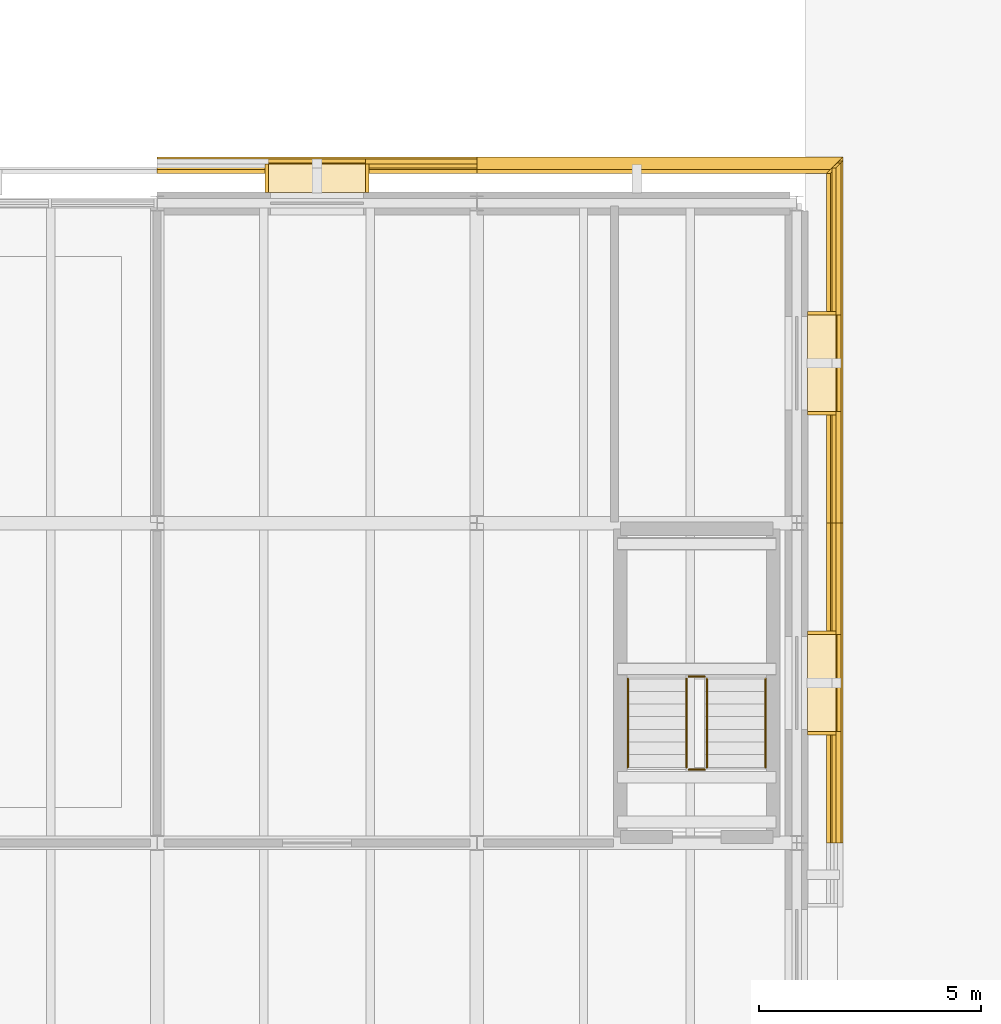
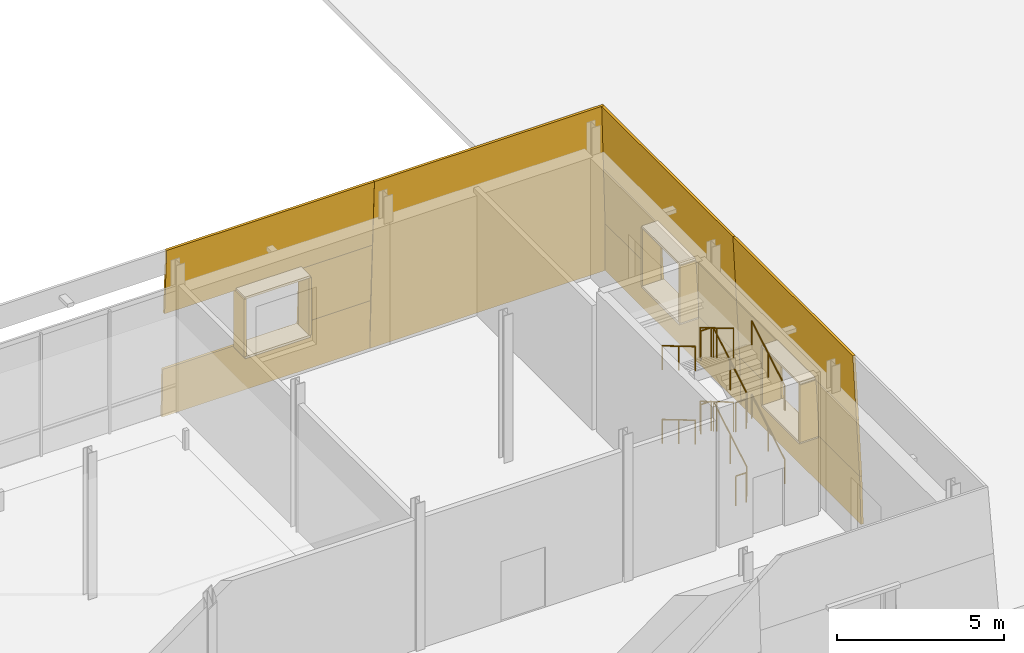
# One storey, part 100 of 120: 24 coverings, 12 railings.
"""IFC4 building model written with IfcOpenShell, lengths in metres."""

import ifcopenshell
import ifcopenshell.guid

model = None  # the IFC model being written
_history = None  # IfcOwnerHistory: only IFC2X3 demands one
_inside = {}  # id of a spatial element -> (the spatial element, [elements in it])
_under = {}  # id of a project, library or spatial element -> (it, [spatial elements below it])
_declared = {}  # id of a project -> (the project, [libraries it declares])
_typed = {}  # id of a type object -> (the type object, [elements of that type])
_made_of = {}  # id of a material, layer set ... -> (it, [elements and type objects made of it])


def new_model(schema):
    """Start an empty IFC model of exactly this schema.

    Asked for "IFC4X3", IfcOpenShell would pick the latest addendum, in which some entities
    have other attributes; the version numbers below select the first issue.
    IFC2X3 requires an IfcOwnerHistory on every rooted entity: one is made here for all.
    """
    global model, _history
    if schema == "IFC4X3":
        model = ifcopenshell.file(schema_version=(4, 3, 0, 0))
    else:
        model = ifcopenshell.file(schema=schema)
    _inside.clear()
    _under.clear()
    _declared.clear()
    _typed.clear()
    _made_of.clear()
    _history = None
    if model.schema == "IFC2X3":
        org = make("IfcOrganization", Name="unknown")
        user = make(
            "IfcPersonAndOrganization",
            ThePerson=make("IfcPerson", FamilyName="unknown"),
            TheOrganization=org,
        )
        app = make(
            "IfcApplication",
            ApplicationDeveloper=org,
            Version="unknown",
            ApplicationFullName="unknown",
            ApplicationIdentifier="unknown",
        )
        _history = make(
            "IfcOwnerHistory",
            OwningUser=user,
            OwningApplication=app,
            ChangeAction="ADDED",
            CreationDate=0,
        )
    return model


def make(cls, **values):
    """One entity of the class cls with the attributes given. An attribute that is None is left unset."""
    return model.create_entity(
        cls, **{name: value for name, value in values.items() if value is not None}
    )


def rooted(cls, **values):
    """An entity with a GlobalId (a new one), such as an element, a storey or a relation."""
    return make(cls, GlobalId=ifcopenshell.guid.new(), OwnerHistory=_history, **values)


def si_unit(unit_type, name, prefix=None):
    """IfcSIUnit, for example si_unit("LENGTHUNIT", "METRE", prefix="MILLI")."""
    return make("IfcSIUnit", UnitType=unit_type, Prefix=prefix, Name=name)


def assignment(units):
    """IfcUnitAssignment: the units of a project."""
    return None if units is None else make("IfcUnitAssignment", Units=units)


def point(xyz):
    """IfcCartesianPoint."""
    return None if xyz is None else make("IfcCartesianPoint", Coordinates=xyz)


def direction(xyz):
    """IfcDirection."""
    return None if xyz is None else make("IfcDirection", DirectionRatios=xyz)


def frame(location, z_axis=None, x_axis=None):
    """IfcAxis2Placement3D, a coordinate frame: its origin and axes. An axis left out is left unset."""
    return make(
        "IfcAxis2Placement3D",
        Location=point(location),
        Axis=direction(z_axis),
        RefDirection=direction(x_axis),
    )


def frame_2d(location, x_axis=None):
    """IfcAxis2Placement2D, a coordinate frame in the plane: its origin and x axis."""
    return make(
        "IfcAxis2Placement2D", Location=point(location), RefDirection=direction(x_axis)
    )


def origin():
    """The frame at (0, 0, 0) with its axes left unset."""
    return frame((0.0, 0.0, 0.0))


def origin_2d():
    """The frame at (0, 0) in the plane with its x axis left unset."""
    return frame_2d((0.0, 0.0))


def place(relative_to, where):
    """IfcLocalPlacement: puts the frame where relative to a parent placement (None: the world)."""
    return make(
        "IfcLocalPlacement", PlacementRelTo=relative_to, RelativePlacement=where
    )


def context(
    kind, dimensions, precision=None, world=None, true_north=None, identifier=None
):
    """IfcGeometricRepresentationContext, for example the 3D "Model" context."""
    return make(
        "IfcGeometricRepresentationContext",
        ContextIdentifier=identifier,
        ContextType=kind,
        CoordinateSpaceDimension=dimensions,
        Precision=precision,
        WorldCoordinateSystem=world,
        TrueNorth=true_north,
    )


def subcontext(parent, identifier, kind, view, scale=None):
    """IfcGeometricRepresentationSubContext, for example "Body" below "Model"."""
    return make(
        "IfcGeometricRepresentationSubContext",
        ContextIdentifier=identifier,
        ContextType=kind,
        ParentContext=parent,
        TargetScale=scale,
        TargetView=view,
    )


def project(units=None, contexts=None):
    """IfcProject with its units and contexts."""
    return rooted(
        "IfcProject",
        Name="project",
        RepresentationContexts=contexts,
        UnitsInContext=assignment(units),
    )


def spatial(cls, under=None, at=None, **own):
    """A site, building, storey or space (cls), placed at a placement, below another one or the project."""
    s = rooted(cls, ObjectPlacement=at, **own)
    if under is not None:
        _under.setdefault(under.id(), (under, []))[1].append(s)
    return s


def polyline(points):
    """IfcPolyline through the points."""
    return make("IfcPolyline", Points=[point(p) for p in points])


def profile(cls, at=None, kind="AREA", **sizes):
    """A parametric profile (cls). Its sizes go by their IFC names, for example OverallWidth=200.0."""
    return make(cls, ProfileType=kind, Position=at, **sizes)


def circle(**sizes):
    """IfcCircleProfileDef."""
    return profile("IfcCircleProfileDef", **sizes)


def outline(outer, holes=None, kind="AREA"):
    """IfcArbitraryClosedProfileDef: a profile drawn as a closed curve; with holes, ...WithVoids."""
    if holes is None:
        return make("IfcArbitraryClosedProfileDef", ProfileType=kind, OuterCurve=outer)
    return make(
        "IfcArbitraryProfileDefWithVoids",
        ProfileType=kind,
        OuterCurve=outer,
        InnerCurves=holes,
    )


def extrude(swept, where, along, depth):
    """IfcExtrudedAreaSolid: the profile swept, set in the frame where, extruded along a direction by depth."""
    return make(
        "IfcExtrudedAreaSolid",
        SweptArea=swept,
        Position=where,
        ExtrudedDirection=direction(along),
        Depth=depth,
    )


def shape(context_of_items, identifier, shape_type, items):
    """IfcShapeRepresentation: the items that make up one representation, for example the "Body"."""
    return make(
        "IfcShapeRepresentation",
        ContextOfItems=context_of_items,
        RepresentationIdentifier=identifier,
        RepresentationType=shape_type,
        Items=items,
    )


def material(Name=None, Category=None):
    """IfcMaterial."""
    return make("IfcMaterial", Name=Name, Category=Category)


def layer(
    of_material, thickness, ventilated=None, Name=None, Category=None, Priority=None
):
    """IfcMaterialLayer: one layer of a wall or slab, of a material (None: an air gap)."""
    return make(
        "IfcMaterialLayer",
        Material=of_material,
        LayerThickness=thickness,
        IsVentilated=ventilated,
        Name=Name,
        Category=Category,
        Priority=Priority,
    )


def layer_set(layers, Name=None):
    """IfcMaterialLayerSet."""
    return make("IfcMaterialLayerSet", MaterialLayers=layers, LayerSetName=Name)


def made_of(thing, what):
    """Note that an element or type object is made of a material, layer set ...; save() writes the relation."""
    if what is not None:
        _made_of.setdefault(what.id(), (what, []))[1].append(thing)
    return thing


def type_object(cls, material=None, **own):
    """A type object (cls), such as IfcWallType, which elements share."""
    return made_of(rooted(cls, **own), material)


def element(
    cls,
    number,
    at=None,
    inside=None,
    cuts=None,
    type_object=None,
    material=None,
    context=None,
    identifier="Body",
    shape_type=None,
    held_by="IfcProductDefinitionShape",
    body=None,
    shapes=None,
    **own,
):
    """One element of the class cls, such as IfcWall. Its Tag is "e" and its number.

    at: its placement. inside: the storey or other place that contains it. cuts: it is an
    opening in that element (IfcRelVoidsElement). A single representation is given by context,
    identifier, shape_type and body (its items); several are given by shapes. held_by: the class
    of the entity that holds the representations. save() writes the other relations.
    """
    e = rooted(cls, Tag="e%d" % number, ObjectPlacement=at, **own)
    if body is not None:
        shapes = [shape(context, identifier, shape_type, body)]
    if shapes is not None:
        e.Representation = make(held_by, Representations=shapes)
    if inside is not None:
        _inside.setdefault(inside.id(), (inside, []))[1].append(e)
    if cuts is not None:
        rooted(
            "IfcRelVoidsElement", RelatingBuildingElement=cuts, RelatedOpeningElement=e
        )
    if type_object is not None:
        _typed.setdefault(type_object.id(), (type_object, []))[1].append(e)
    return made_of(e, material)


def aggregate(whole, parts):
    """IfcRelAggregates: a whole, such as a stair, and the parts it consists of."""
    return rooted("IfcRelAggregates", RelatingObject=whole, RelatedObjects=parts)


def save(model, path):
    """Write the relations noted so far, then the file.

    IfcRelAggregates (storeys below a building ...), IfcRelContainedInSpatialStructure (elements
    in a storey), IfcRelDefinesByType, IfcRelAssociatesMaterial and IfcRelDeclares: one each for
    every whole, place, type object, material and project.
    """
    for whole, parts in _under.values():
        aggregate(whole, parts)
    for where, things in _inside.values():
        rooted(
            "IfcRelContainedInSpatialStructure",
            RelatedElements=things,
            RelatingStructure=where,
        )
    for kind, things in _typed.values():
        rooted("IfcRelDefinesByType", RelatedObjects=things, RelatingType=kind)
    for what, things in _made_of.values():
        rooted("IfcRelAssociatesMaterial", RelatedObjects=things, RelatingMaterial=what)
    for by, libraries in _declared.values():
        rooted("IfcRelDeclares", RelatingContext=by, RelatedDefinitions=libraries)
    model.write(path)


model = new_model("IFC4")

# Units and contexts
model_context = context("Model", 3, precision=1e-05, world=origin(), true_north=direction((0.0, 1.0)))
body_context = subcontext(model_context, "Body", "Model", "MODEL_VIEW")
ifc_project = project(units=[si_unit("LENGTHUNIT", "METRE"), si_unit("AREAUNIT", "SQUARE_METRE"), si_unit("VOLUMEUNIT", "CUBIC_METRE"), si_unit("PLANEANGLEUNIT", "RADIAN"), si_unit("MASSUNIT", "GRAM", prefix="KILO")], contexts=[model_context])

# Site, building, storey
site_placement = place(None, origin())
site = spatial("IfcSite", under=ifc_project, at=site_placement, CompositionType="ELEMENT")
building_placement = place(site_placement, origin())
building = spatial("IfcBuilding", under=site, at=building_placement, Name="Narikvali Park Central Library", CompositionType="ELEMENT")
storey_placement = place(building_placement, origin())
storey = spatial("IfcBuildingStorey", under=building, at=storey_placement, Name="L00", CompositionType="ELEMENT", Elevation=0.0)

# Coverings
ifc_material_1 = material(Name="White Honed Limestone Cladding", Category="masonry")
ifc_layer_1 = layer(ifc_material_1, 0.0849609375, Name="White Honed Limestone Cladding")
ifc_layer_set_1 = layer_set([ifc_layer_1], Name="White Honed Limestone Cladding")
covering_type_1 = type_object("IfcCoveringType", Name="Battered White Limestone Facade Cladding Panel", PredefinedType="CLADDING", material=ifc_layer_set_1)
covering_1_placement = place(storey_placement, frame((44.239990234375, 7.199951171875, -0.8798828125), z_axis=(0.999653349735, 0.0, 0.026328318676), x_axis=(0.0, 1.0, 0.0)))
element("IfcCovering", 1, at=covering_1_placement, inside=storey, type_object=covering_type_1, Name="V2 L00 E Battered Limestone Spandrel B02", PredefinedType="CLADDING", context=body_context, shape_type="SweptSolid", body=[
    extrude(outline(polyline([(0.0, 0.0), (7.199951171875, 0.0), (7.199951171875, 1.7804023331912473), (0.0, 1.7804023331912473), (0.0, 0.0)])), origin(), (0.0, 0.0, -1.0), 0.0849609375),
])
covering_2_placement = place(storey_placement, frame((44.08349609375, 7.199951171875, 3.0), z_axis=(0.998646306508, 0.0, 0.052014944957), x_axis=(0.0, 1.0, 0.0)))
element("IfcCovering", 2, at=covering_2_placement, inside=storey, type_object=covering_type_1, Name="V2 L00 E Battered Limestone Lintel B02", PredefinedType="CLADDING", context=body_context, shape_type="SweptSolid", body=[
    extrude(outline(polyline([(0.0, 0.0), (7.199951171875, 0.0), (7.199951171875, 2.4031554796843135), (0.0, 2.4031554796843135), (0.0, 0.0)])), origin(), (0.0, 0.0, -1.0), 0.0849609375),
])
for number, where, z_axis, x_axis, name in (
    (3, (44.193115234375, 7.199951171875, 0.89990234375), (0.998640505436, 0.0, 0.05212620169), (0.0, 1.0, 0.0), "V2 L00 E Battered Limestone Jamb Pier L B02"),
    (4, (44.193115234375, 11.889892578125, 0.89990234375), (0.998640505436, 0.0, 0.05212620169), (0.0, 1.0, 0.0), "V2 L00 E Battered Limestone Jamb Pier R B02"),
):
    element("IfcCovering", number, at=place(storey_placement, frame(where, z_axis=z_axis, x_axis=x_axis)), inside=storey, type_object=covering_type_1, Name=name, PredefinedType="CLADDING", context=body_context, shape_type="SweptSolid", body=[
        extrude(outline(polyline([(0.0, 0.0), (2.510009765625, 0.0), (2.510009765625, 2.102956614335661), (0.0, 2.102956614335661), (0.0, 0.0)])), origin(), (0.0, 0.0, -1.0), 0.0849609375),
    ])
covering_3_placement = place(storey_placement, frame((44.239990234375, 14.39990234375, -0.8798828125), z_axis=(0.999653349735, 0.0, 0.026328318676), x_axis=(0.0, 1.0, 0.0)))
element("IfcCovering", 5, at=covering_3_placement, inside=storey, type_object=covering_type_1, Name="V2 L00 E Battered Limestone Spandrel B03", PredefinedType="CLADDING", context=body_context, shape_type="SweptSolid", body=[
    extrude(outline(polyline([(0.0, 0.0), (8.155029296875, 0.0), (8.108154296875, 1.7804023331912473), (0.0, 1.7804023331912473), (0.0, 0.0)])), origin(), (0.0, 0.0, -1.0), 0.0849609375),
])
covering_4_placement = place(storey_placement, frame((44.08349609375, 14.39990234375, 3.0), z_axis=(0.998646306508, 0.0, 0.052014944957), x_axis=(0.0, 1.0, 0.0)))
element("IfcCovering", 6, at=covering_4_placement, inside=storey, type_object=covering_type_1, Name="V2 L00 E Battered Limestone Lintel B03", PredefinedType="CLADDING", context=body_context, shape_type="SweptSolid", body=[
    extrude(outline(polyline([(0.0, 0.0), (7.998779296875, 0.0), (7.873779296875, 2.403155479684313), (0.0, 2.403155479684313), (0.0, 0.0)])), origin(), (0.0, 0.0, -1.0), 0.0849609375),
])
covering_5_placement = place(storey_placement, frame((44.193115234375, 14.39990234375, 0.89990234375), z_axis=(0.998640505436, 0.0, 0.05212620169), x_axis=(0.0, 1.0, 0.0)))
element("IfcCovering", 7, at=covering_5_placement, inside=storey, type_object=covering_type_1, Name="V2 L00 E Battered Limestone Jamb Pier L B03", PredefinedType="CLADDING", context=body_context, shape_type="SweptSolid", body=[
    extrude(outline(polyline([(0.0, 0.0), (2.510009765625, 0.0), (2.510009765625, 2.102956614335661), (0.0, 2.102956614335661), (0.0, 0.0)])), origin(), (0.0, 0.0, -1.0), 0.0849609375),
])
covering_6_placement = place(storey_placement, frame((44.193115234375, 19.090087890625, 0.89990234375), z_axis=(0.998640505436, 0.0, 0.05212620169), x_axis=(0.0, 1.0, 0.0)))
element("IfcCovering", 8, at=covering_6_placement, inside=storey, type_object=covering_type_1, Name="V2 L00 E Battered Limestone Jamb Pier R B03", PredefinedType="CLADDING", context=body_context, shape_type="SweptSolid", body=[
    extrude(outline(polyline([(0.0, 0.0), (3.41796875, 0.0), (3.30859375, 2.102956614335661), (0.0, 2.102956614335661), (0.0, 0.0)])), origin(), (0.0, 0.0, -1.0), 0.0849609375),
])
covering_7_placement = place(storey_placement, frame((44.239990234375, 22.639892578125, -0.8798828125), z_axis=(0.0, 0.998998588091, 0.044741714232), x_axis=(-1.0, 0.0, 0.0)))
element("IfcCovering", 9, at=covering_7_placement, inside=storey, type_object=covering_type_1, Name="V2 L00 N Battered Limestone Panel B01", PredefinedType="CLADDING", context=body_context, shape_type="SweptSolid", body=[
    extrude(outline(polyline([(0.0, 0.0), (8.239990234375, 0.0), (8.239990234375, 6.286080111735599), (0.281494140625, 6.286080111735599), (0.0, 0.0)])), origin(), (0.0, 0.0, -1.0), 0.0849609375),
])
covering_8_placement = place(storey_placement, frame((36.0, 22.639892578125, -0.8798828125), z_axis=(0.0, 0.999653349735, 0.026328318676), x_axis=(-1.0, 0.0, 0.0)))
element("IfcCovering", 10, at=covering_8_placement, inside=storey, type_object=covering_type_1, Name="V2 L00 N Battered Limestone Spandrel B02", PredefinedType="CLADDING", context=body_context, shape_type="SweptSolid", body=[
    extrude(outline(polyline([(0.0, 0.0), (7.199951171875, 0.0), (7.199951171875, 1.7804023331912473), (0.0, 1.7804023331912473), (0.0, 0.0)])), origin(), (0.0, 0.0, -1.0), 0.0849609375),
])
covering_9_placement = place(storey_placement, frame((36.0, 22.483642578125, 3.0), z_axis=(0.0, 0.998646306508, 0.052014944957), x_axis=(-1.0, 0.0, 0.0)))
element("IfcCovering", 11, at=covering_9_placement, inside=storey, type_object=covering_type_1, Name="V2 L00 N Battered Limestone Lintel B02", PredefinedType="CLADDING", context=body_context, shape_type="SweptSolid", body=[
    extrude(outline(polyline([(0.0, 0.0), (7.199951171875, 0.0), (7.199951171875, 2.4031554796843135), (0.0, 2.4031554796843135), (0.0, 0.0)])), origin(), (0.0, 0.0, -1.0), 0.0849609375),
])
covering_10_placement = place(storey_placement, frame((36.0, 22.593017578125, 0.89990234375), z_axis=(0.0, 0.998646542073, 0.052010422094), x_axis=(-1.0, 0.0, 0.0)))
element("IfcCovering", 12, at=covering_10_placement, inside=storey, type_object=covering_type_1, Name="V2 L00 N Battered Limestone Jamb Pier L B02", PredefinedType="CLADDING", context=body_context, shape_type="SweptSolid", body=[
    extrude(outline(polyline([(0.0, 0.0), (2.510009765625, 0.0), (2.510009765625, 2.1029439023454106), (0.0, 2.1029439023454106), (0.0, 0.0)])), origin(), (0.0, 0.0, -1.0), 0.0849609375),
])
ifc_layer_2 = layer(ifc_material_1, 0.080078125, Name="White Honed Limestone Cladding")
ifc_layer_set_2 = layer_set([ifc_layer_2], Name="White Honed Limestone Cladding")
covering_type_2 = type_object("IfcCoveringType", Name="Deep Carved White Limestone Window Reveal", PredefinedType="CLADDING", material=ifc_layer_set_2)
covering_11_placement = place(storey_placement, frame((0.0, 0.0, 3.0)))
element("IfcCovering", 13, at=covering_11_placement, inside=storey, type_object=covering_type_2, Name="Deep Stone Reveal Head V2-RVL-L00-E-B02", PredefinedType="CLADDING", context=body_context, shape_type="SweptSolid", body=[
    extrude(outline(polyline([(43.445068359375, 9.669921875), (43.445068359375, 11.929931640625), (44.08349609375, 11.929931640625), (44.08349609375, 9.669921875), (43.445068359375, 9.669921875)])), origin(), (0.0, 0.0, 1.0), 0.080078125),
])
covering_12_placement = place(storey_placement, frame((0.0, 0.0, 0.820068359375)))
element("IfcCovering", 14, at=covering_12_placement, inside=storey, type_object=covering_type_2, Name="Deep Stone Reveal Sill V2-RVL-L00-E-B02", PredefinedType="CLADDING", context=body_context, shape_type="SweptSolid", body=[
    extrude(outline(polyline([(43.445068359375, 9.669921875), (43.445068359375, 11.929931640625), (44.193115234375, 11.929931640625), (44.193115234375, 9.669921875), (43.445068359375, 9.669921875)])), origin(), (0.0, 0.0, 1.0), 0.079833984375),
])
covering_13_placement = place(storey_placement, frame((0.0, 0.0, 0.89990234375)))
element("IfcCovering", 15, at=covering_13_placement, inside=storey, type_object=covering_type_2, Name="Deep Stone Reveal Jamb L V2-RVL-L00-E-B02", PredefinedType="CLADDING", context=body_context, shape_type="SweptSolid", body=[
    extrude(outline(polyline([(43.445068359375, 9.6298828125), (43.445068359375, 9.7099609375), (44.08349609375, 9.7099609375), (44.08349609375, 9.6298828125), (43.445068359375, 9.6298828125)])), origin(), (0.0, 0.0, 1.0), 2.10009765625),
])
covering_14_placement = place(storey_placement, frame((0.0, 0.0, 0.89990234375)))
element("IfcCovering", 16, at=covering_14_placement, inside=storey, type_object=covering_type_2, Name="Deep Stone Reveal Jamb R V2-RVL-L00-E-B02", PredefinedType="CLADDING", context=body_context, shape_type="SweptSolid", body=[
    extrude(outline(polyline([(43.445068359375, 11.889892578125), (43.445068359375, 11.969970703125), (44.08349609375, 11.969970703125), (44.08349609375, 11.889892578125), (43.445068359375, 11.889892578125)])), origin(), (0.0, 0.0, 1.0), 2.10009765625),
])
covering_15_placement = place(storey_placement, frame((0.0, 0.0, 3.0)))
element("IfcCovering", 17, at=covering_15_placement, inside=storey, type_object=covering_type_2, Name="Deep Stone Reveal Head V2-RVL-L00-E-B03", PredefinedType="CLADDING", context=body_context, shape_type="SweptSolid", body=[
    extrude(outline(polyline([(43.445068359375, 16.8701171875), (43.445068359375, 19.1298828125), (44.08349609375, 19.1298828125), (44.08349609375, 16.8701171875), (43.445068359375, 16.8701171875)])), origin(), (0.0, 0.0, 1.0), 0.080078125),
])
covering_16_placement = place(storey_placement, frame((0.0, 0.0, 0.820068359375)))
element("IfcCovering", 18, at=covering_16_placement, inside=storey, type_object=covering_type_2, Name="Deep Stone Reveal Sill V2-RVL-L00-E-B03", PredefinedType="CLADDING", context=body_context, shape_type="SweptSolid", body=[
    extrude(outline(polyline([(43.445068359375, 16.8701171875), (43.445068359375, 19.1298828125), (44.193115234375, 19.1298828125), (44.193115234375, 16.8701171875), (43.445068359375, 16.8701171875)])), origin(), (0.0, 0.0, 1.0), 0.079833984375),
])
covering_17_placement = place(storey_placement, frame((0.0, 0.0, 0.89990234375)))
element("IfcCovering", 19, at=covering_17_placement, inside=storey, type_object=covering_type_2, Name="Deep Stone Reveal Jamb L V2-RVL-L00-E-B03", PredefinedType="CLADDING", context=body_context, shape_type="SweptSolid", body=[
    extrude(outline(polyline([(43.445068359375, 16.830078125), (43.445068359375, 16.909912109375), (44.08349609375, 16.909912109375), (44.08349609375, 16.830078125), (43.445068359375, 16.830078125)])), origin(), (0.0, 0.0, 1.0), 2.10009765625),
])
covering_18_placement = place(storey_placement, frame((0.0, 0.0, 0.89990234375)))
element("IfcCovering", 20, at=covering_18_placement, inside=storey, type_object=covering_type_2, Name="Deep Stone Reveal Jamb R V2-RVL-L00-E-B03", PredefinedType="CLADDING", context=body_context, shape_type="SweptSolid", body=[
    extrude(outline(polyline([(43.445068359375, 19.090087890625), (43.445068359375, 19.169921875), (44.08349609375, 19.169921875), (44.08349609375, 19.090087890625), (43.445068359375, 19.090087890625)])), origin(), (0.0, 0.0, 1.0), 2.10009765625),
])
covering_19_placement = place(storey_placement, frame((0.0, 0.0, 3.0)))
element("IfcCovering", 21, at=covering_19_placement, inside=storey, type_object=covering_type_2, Name="Deep Stone Reveal Head V2-RVL-L00-N-B02", PredefinedType="CLADDING", context=body_context, shape_type="SweptSolid", body=[
    extrude(outline(polyline([(33.530029296875, 21.844970703125), (31.27001953125, 21.844970703125), (31.27001953125, 22.483642578125), (33.530029296875, 22.483642578125), (33.530029296875, 21.844970703125)])), origin(), (0.0, 0.0, 1.0), 0.080078125),
])
covering_20_placement = place(storey_placement, frame((0.0, 0.0, 0.820068359375)))
element("IfcCovering", 22, at=covering_20_placement, inside=storey, type_object=covering_type_2, Name="Deep Stone Reveal Sill V2-RVL-L00-N-B02", PredefinedType="CLADDING", context=body_context, shape_type="SweptSolid", body=[
    extrude(outline(polyline([(33.530029296875, 21.844970703125), (31.27001953125, 21.844970703125), (31.27001953125, 22.593017578125), (33.530029296875, 22.593017578125), (33.530029296875, 21.844970703125)])), origin(), (0.0, 0.0, 1.0), 0.079833984375),
])
covering_21_placement = place(storey_placement, frame((0.0, 0.0, 0.89990234375)))
element("IfcCovering", 23, at=covering_21_placement, inside=storey, type_object=covering_type_2, Name="Deep Stone Reveal Jamb L V2-RVL-L00-N-B02", PredefinedType="CLADDING", context=body_context, shape_type="SweptSolid", body=[
    extrude(outline(polyline([(33.570068359375, 21.844970703125), (33.489990234375, 21.844970703125), (33.489990234375, 22.483642578125), (33.570068359375, 22.483642578125), (33.570068359375, 21.844970703125)])), origin(), (0.0, 0.0, 1.0), 2.10009765625),
])
covering_22_placement = place(storey_placement, frame((0.0, 0.0, 0.89990234375)))
element("IfcCovering", 24, at=covering_22_placement, inside=storey, type_object=covering_type_2, Name="Deep Stone Reveal Jamb R V2-RVL-L00-N-B02", PredefinedType="CLADDING", context=body_context, shape_type="SweptSolid", body=[
    extrude(outline(polyline([(31.31005859375, 21.844970703125), (31.22998046875, 21.844970703125), (31.22998046875, 22.483642578125), (31.31005859375, 22.483642578125), (31.31005859375, 21.844970703125)])), origin(), (0.0, 0.0, 1.0), 2.10009765625),
])

# Railings
ifc_material_2 = material(Name="Brushed Stainless Steel S355", Category="steel")
ifc_layer_3 = layer(ifc_material_2, 0.044921875, Name="Brushed Stainless Steel S355")
ifc_layer_set_3 = layer_set([ifc_layer_3], Name="Brushed Stainless Steel S355")
railing_type_1 = type_object("IfcRailingType", Name="Stair Tubular Steel Handrail 900", PredefinedType="HANDRAIL", material=ifc_layer_set_3)
railing_1_placement = place(storey_placement, frame((42.5, 8.89990234375, 0.168701171875)))
element("IfcRailing", 25, at=railing_1_placement, inside=storey, type_object=railing_type_1, Name="L00 ST-04 stair handrail 1", PredefinedType="HANDRAIL", context=body_context, shape_type="SweptSolid", body=[
    extrude(circle(Radius=0.02392578125, at=origin_2d()), frame((0.0, 0.0, 0.8759765625), z_axis=(0.0, 0.860460811416, 0.50951662585), x_axis=(-1.0, 0.0, 0.0)), (0.0, 0.0, 1.0), 2.318603515625),
    extrude(circle(Radius=0.02099609375, at=origin_2d()), origin(), (0.0, 0.0, 1.0), 0.851806640625),
    extrude(circle(Radius=0.02099609375, at=origin_2d()), frame((0.0, 0.99755859375, 0.5908203125)), (0.0, 0.0, 1.0), 0.851806640625),
    extrude(circle(Radius=0.02099609375, at=origin_2d()), frame((0.0, 1.9951171875, 1.181396484375)), (0.0, 0.0, 1.0), 0.851806640625),
])
railing_2_placement = place(storey_placement, frame((39.39990234375, 10.89501953125, 1.518798828125)))
element("IfcRailing", 26, at=railing_2_placement, inside=storey, type_object=railing_type_1, Name="L00 ST-04 stair handrail 2", PredefinedType="HANDRAIL", context=body_context, shape_type="SweptSolid", body=[
    extrude(circle(Radius=0.02392578125, at=origin_2d()), frame((0.0, 0.0, 0.8759765625), z_axis=(0.0, -0.860506973166, 0.509438660815), x_axis=(1.0, 0.0, 0.0)), (0.0, 0.0, 1.0), 2.318603515625),
    extrude(circle(Radius=0.02099609375, at=origin_2d()), origin(), (0.0, 0.0, 1.0), 0.851806640625),
    extrude(circle(Radius=0.02099609375, at=origin_2d()), frame((0.0, -0.99755859375, 0.590576171875)), (0.0, 0.0, 1.0), 0.851806640625),
    extrude(circle(Radius=0.02099609375, at=origin_2d()), frame((0.0, -1.9951171875, 1.18115234375)), (0.0, 0.0, 1.0), 0.851806640625),
])
railing_3_placement = place(storey_placement, frame((42.5, 8.89990234375, 2.86865234375)))
element("IfcRailing", 27, at=railing_3_placement, inside=storey, type_object=railing_type_1, Name="L00 ST-04 stair handrail 3", PredefinedType="HANDRAIL", context=body_context, shape_type="SweptSolid", body=[
    extrude(circle(Radius=0.02392578125, at=origin_2d()), frame((0.0, 0.0, 0.8759765625), z_axis=(0.0, 0.860460811416, 0.50951662585), x_axis=(-1.0, 0.0, 0.0)), (0.0, 0.0, 1.0), 2.318603515625),
    extrude(circle(Radius=0.02099609375, at=origin_2d()), origin(), (0.0, 0.0, 1.0), 0.851806640625),
    extrude(circle(Radius=0.02099609375, at=origin_2d()), frame((0.0, 0.99755859375, 0.5908203125)), (0.0, 0.0, 1.0), 0.851806640625),
    extrude(circle(Radius=0.02099609375, at=origin_2d()), frame((0.0, 1.9951171875, 1.181396484375)), (0.0, 0.0, 1.0), 0.851806640625),
])
railing_4_placement = place(storey_placement, frame((39.39990234375, 10.89501953125, 4.21875)))
element("IfcRailing", 28, at=railing_4_placement, inside=storey, type_object=railing_type_1, Name="L00 ST-04 stair handrail 4", PredefinedType="HANDRAIL", context=body_context, shape_type="SweptSolid", body=[
    extrude(circle(Radius=0.02392578125, at=origin_2d()), frame((0.0, 0.0, 0.8759765625), z_axis=(0.0, -0.860506973166, 0.509438660815), x_axis=(1.0, 0.0, 0.0)), (0.0, 0.0, 1.0), 2.318603515625),
    extrude(circle(Radius=0.02099609375, at=origin_2d()), origin(), (0.0, 0.0, 1.0), 0.851806640625),
    extrude(circle(Radius=0.02099609375, at=origin_2d()), frame((0.0, -0.99755859375, 0.590576171875)), (0.0, 0.0, 1.0), 0.851806640625),
    extrude(circle(Radius=0.02099609375, at=origin_2d()), frame((0.0, -1.9951171875, 1.18115234375)), (0.0, 0.0, 1.0), 0.851806640625),
])
ifc_material_3 = material(Name="Powder-Coated Steel S275", Category="steel")
ifc_layer_4 = layer(ifc_material_3, 0.050048828125, Name="Powder-Coated Steel S275")
ifc_layer_set_4 = layer_set([ifc_layer_4], Name="Powder-Coated Steel S275")
railing_type_2 = type_object("IfcRailingType", Name="Stair Well Steel Guardrail 1100", PredefinedType="GUARDRAIL", material=ifc_layer_set_4)
railing_5_placement = place(storey_placement, frame((41.179931640625, 8.89990234375, 0.168701171875)))
element("IfcRailing", 29, at=railing_5_placement, inside=storey, type_object=railing_type_2, Name="L00 ST-04 stair guard 1", PredefinedType="GUARDRAIL", context=body_context, shape_type="SweptSolid", body=[
    extrude(circle(Radius=0.02392578125, at=origin_2d()), frame((0.0, 0.0, 1.076171875), z_axis=(0.0, 0.860460811416, 0.50951662585), x_axis=(-1.0, 0.0, 0.0)), (0.0, 0.0, 1.0), 2.318603515625),
    extrude(circle(Radius=0.02099609375, at=origin_2d()), origin(), (0.0, 0.0, 1.0), 1.052001953125),
    extrude(circle(Radius=0.02099609375, at=origin_2d()), frame((0.0, 0.99755859375, 0.5908203125)), (0.0, 0.0, 1.0), 1.052001953125),
    extrude(circle(Radius=0.02099609375, at=origin_2d()), frame((0.0, 1.9951171875, 1.181396484375)), (0.0, 0.0, 1.0), 1.052001953125),
])
railing_6_placement = place(storey_placement, frame((41.1298828125, 10.945068359375, 1.35009765625)))
element("IfcRailing", 30, at=railing_6_placement, inside=storey, type_object=railing_type_2, Name="L00 ST-04 stair guard 2", PredefinedType="GUARDRAIL", context=body_context, shape_type="SweptSolid", body=[
    extrude(circle(Radius=0.02392578125, at=origin_2d()), frame((0.0, 0.0, 1.076171875), z_axis=(-1.0, 0.0, 0.0), x_axis=(0.0, -1.0, 0.0)), (0.0, 0.0, 1.0), 0.35986328125),
    extrude(circle(Radius=0.02099609375, at=origin_2d()), origin(), (0.0, 0.0, 1.0), 1.052001953125),
    extrude(circle(Radius=0.02099609375, at=origin_2d()), frame((-0.35986328125, 0.0, 0.0)), (0.0, 0.0, 1.0), 1.052001953125),
])
railing_7_placement = place(storey_placement, frame((40.719970703125, 10.89501953125, 1.518798828125)))
element("IfcRailing", 31, at=railing_7_placement, inside=storey, type_object=railing_type_2, Name="L00 ST-04 stair guard 3", PredefinedType="GUARDRAIL", context=body_context, shape_type="SweptSolid", body=[
    extrude(circle(Radius=0.02392578125, at=origin_2d()), frame((0.0, 0.0, 1.076171875), z_axis=(0.0, -0.860506973166, 0.509438660815), x_axis=(1.0, 0.0, 0.0)), (0.0, 0.0, 1.0), 2.318603515625),
    extrude(circle(Radius=0.02099609375, at=origin_2d()), origin(), (0.0, 0.0, 1.0), 1.052001953125),
    extrude(circle(Radius=0.02099609375, at=origin_2d()), frame((0.0, -0.99755859375, 0.590576171875)), (0.0, 0.0, 1.0), 1.052001953125),
    extrude(circle(Radius=0.02099609375, at=origin_2d()), frame((0.0, -1.9951171875, 1.18115234375)), (0.0, 0.0, 1.0), 1.052001953125),
])
railing_8_placement = place(storey_placement, frame((41.1298828125, 8.85009765625, 2.699951171875)))
element("IfcRailing", 32, at=railing_8_placement, inside=storey, type_object=railing_type_2, Name="L00 ST-04 stair guard 4", PredefinedType="GUARDRAIL", context=body_context, shape_type="SweptSolid", body=[
    extrude(circle(Radius=0.02392578125, at=origin_2d()), frame((0.0, 0.0, 1.076171875), z_axis=(-1.0, 0.0, 0.0), x_axis=(0.0, -1.0, 0.0)), (0.0, 0.0, 1.0), 0.35986328125),
    extrude(circle(Radius=0.02099609375, at=origin_2d()), origin(), (0.0, 0.0, 1.0), 1.052001953125),
    extrude(circle(Radius=0.02099609375, at=origin_2d()), frame((-0.35986328125, 0.0, 0.0)), (0.0, 0.0, 1.0), 1.052001953125),
])
railing_9_placement = place(storey_placement, frame((41.179931640625, 8.89990234375, 2.86865234375)))
element("IfcRailing", 33, at=railing_9_placement, inside=storey, type_object=railing_type_2, Name="L00 ST-04 stair guard 5", PredefinedType="GUARDRAIL", context=body_context, shape_type="SweptSolid", body=[
    extrude(circle(Radius=0.02392578125, at=origin_2d()), frame((0.0, 0.0, 1.076171875), z_axis=(0.0, 0.860460811416, 0.50951662585), x_axis=(-1.0, 0.0, 0.0)), (0.0, 0.0, 1.0), 2.318603515625),
    extrude(circle(Radius=0.02099609375, at=origin_2d()), origin(), (0.0, 0.0, 1.0), 1.052001953125),
    extrude(circle(Radius=0.02099609375, at=origin_2d()), frame((0.0, 0.99755859375, 0.5908203125)), (0.0, 0.0, 1.0), 1.052001953125),
    extrude(circle(Radius=0.02099609375, at=origin_2d()), frame((0.0, 1.9951171875, 1.181396484375)), (0.0, 0.0, 1.0), 1.052001953125),
])
railing_10_placement = place(storey_placement, frame((41.1298828125, 10.945068359375, 4.050048828125)))
element("IfcRailing", 34, at=railing_10_placement, inside=storey, type_object=railing_type_2, Name="L00 ST-04 stair guard 6", PredefinedType="GUARDRAIL", context=body_context, shape_type="SweptSolid", body=[
    extrude(circle(Radius=0.02392578125, at=origin_2d()), frame((0.0, 0.0, 1.076171875), z_axis=(-1.0, 0.0, 0.0), x_axis=(0.0, -1.0, 0.0)), (0.0, 0.0, 1.0), 0.35986328125),
    extrude(circle(Radius=0.02099609375, at=origin_2d()), origin(), (0.0, 0.0, 1.0), 1.052001953125),
    extrude(circle(Radius=0.02099609375, at=origin_2d()), frame((-0.35986328125, 0.0, 0.0)), (0.0, 0.0, 1.0), 1.052001953125),
])
railing_11_placement = place(storey_placement, frame((40.719970703125, 10.89501953125, 4.21875)))
element("IfcRailing", 35, at=railing_11_placement, inside=storey, type_object=railing_type_2, Name="L00 ST-04 stair guard 7", PredefinedType="GUARDRAIL", context=body_context, shape_type="SweptSolid", body=[
    extrude(circle(Radius=0.02392578125, at=origin_2d()), frame((0.0, 0.0, 1.076171875), z_axis=(0.0, -0.860506973166, 0.509438660815), x_axis=(1.0, 0.0, 0.0)), (0.0, 0.0, 1.0), 2.318603515625),
    extrude(circle(Radius=0.02099609375, at=origin_2d()), origin(), (0.0, 0.0, 1.0), 1.052001953125),
    extrude(circle(Radius=0.02099609375, at=origin_2d()), frame((0.0, -0.99755859375, 0.590576171875)), (0.0, 0.0, 1.0), 1.052001953125),
    extrude(circle(Radius=0.02099609375, at=origin_2d()), frame((0.0, -1.9951171875, 1.18115234375)), (0.0, 0.0, 1.0), 1.052001953125),
])
railing_12_placement = place(storey_placement, frame((41.1298828125, 8.85009765625, 0.0)))
element("IfcRailing", 36, at=railing_12_placement, inside=storey, type_object=railing_type_2, Name="L00 ST-04 stair guard 8", PredefinedType="GUARDRAIL", context=body_context, shape_type="SweptSolid", body=[
    extrude(circle(Radius=0.02392578125, at=origin_2d()), frame((0.0, 0.0, 1.076171875), z_axis=(-1.0, 0.0, 0.0), x_axis=(0.0, -1.0, 0.0)), (0.0, 0.0, 1.0), 0.35986328125),
    extrude(circle(Radius=0.02099609375, at=origin_2d()), origin(), (0.0, 0.0, 1.0), 1.052001953125),
    extrude(circle(Radius=0.02099609375, at=origin_2d()), frame((-0.35986328125, 0.0, 0.0)), (0.0, 0.0, 1.0), 1.052001953125),
])

save(model, "model.ifc")
